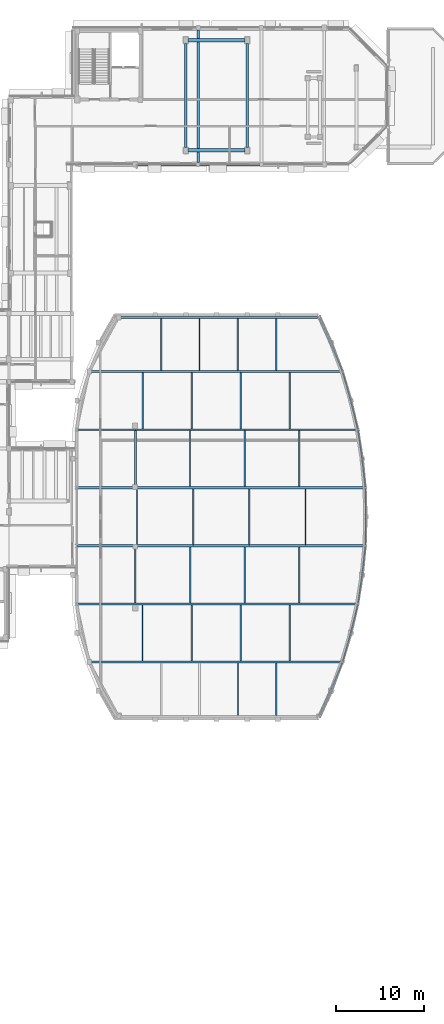
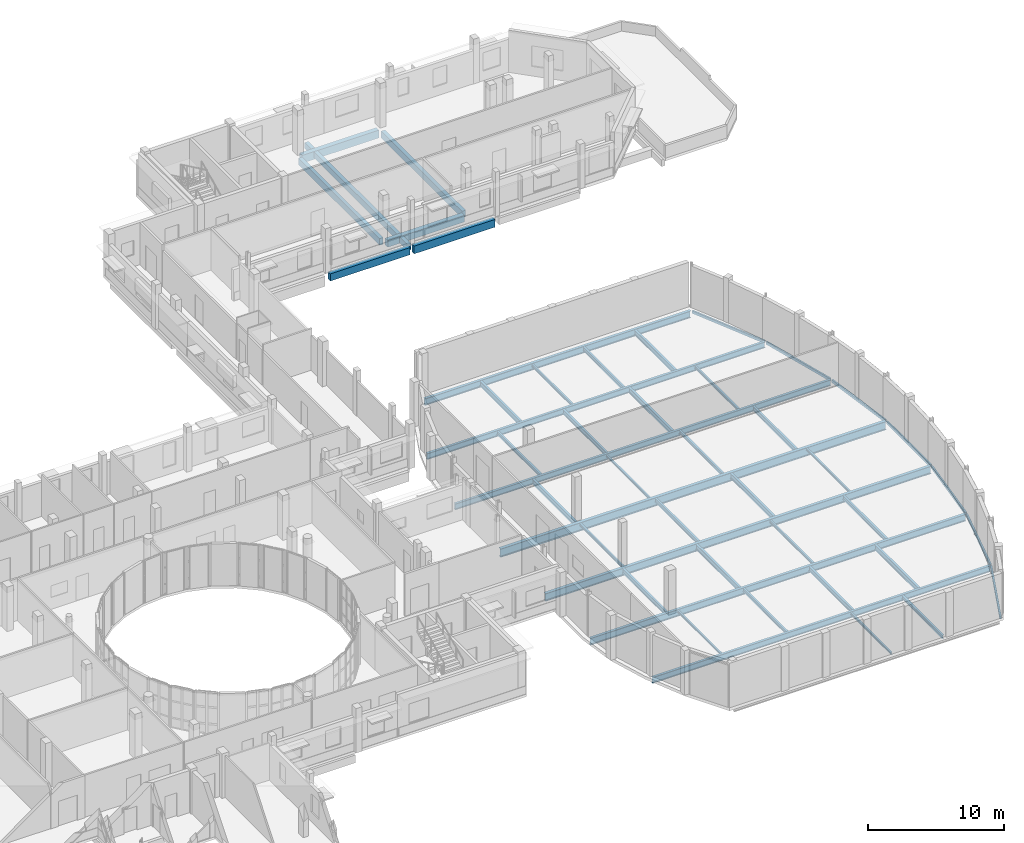
# One storey, part 50 of 105: 47 beams.
"""IFC4 building model written with IfcOpenShell, lengths in metres."""

from ifc_helpers import new_model, si_unit, direction, frame, origin, origin_2d, place, context, subcontext, project, spatial, rectangle, hollow_rectangle, i_section, extrude, material, material_profile, profile_set, type_object, element, save


model = new_model("IFC4")

# Units and contexts
model_context = context("Model", 3, precision=1e-05, world=origin(), true_north=direction((0.0, 1.0)))
body_context = subcontext(model_context, "Body", "Model", "MODEL_VIEW")
ifc_project = project(units=[si_unit("LENGTHUNIT", "METRE"), si_unit("AREAUNIT", "SQUARE_METRE"), si_unit("VOLUMEUNIT", "CUBIC_METRE"), si_unit("PLANEANGLEUNIT", "RADIAN"), si_unit("MASSUNIT", "GRAM", prefix="KILO")], contexts=[model_context])

# Site, building, storey
site_placement = place(None, origin())
site = spatial("IfcSite", under=ifc_project, at=site_placement, CompositionType="ELEMENT")
building_placement = place(site_placement, origin())
building = spatial("IfcBuilding", under=site, at=building_placement, Name="Kelanivale Promenade Academy", CompositionType="ELEMENT")
storey_placement = place(building_placement, frame((0.0, 0.0, 4.199951171875)))
storey = spatial("IfcBuildingStorey", under=building, at=storey_placement, Name="L01", CompositionType="ELEMENT", Elevation=4.199951171875)

# Beams
ifc_material_1 = material(Name="Concrete C35/45", Category="concrete")
ifc_material_profile_1 = material_profile(ifc_material_1, rectangle(XDim=0.39990234375, YDim=0.699951171875, at=origin_2d()), Name="RC-BM 400x700")
ifc_profile_set_1 = profile_set([ifc_material_profile_1], Name="Concrete C35/45")
beam_type_1 = type_object("IfcBeamType", Name="BM-02 RC-BM 400x700", PredefinedType="BEAM", material=ifc_profile_set_1)
beam_1_placement = place(storey_placement, frame((136.044921875, 110.60009765625, -0.6298828125), z_axis=(1.0, 0.0, 0.0), x_axis=(0.0, 1.0, 0.0)))
element("IfcBeam", 1, at=beam_1_placement, inside=storey, type_object=beam_type_1, Name="L01 girder BM-02", PredefinedType="BEAM", context=body_context, shape_type="SweptSolid", body=[
    extrude(rectangle(XDim=0.39990234375, YDim=0.699951171875, at=origin_2d()), origin(), (0.0, 0.0, 1.0), 6.510009765625),
])
ifc_material_profile_2 = material_profile(ifc_material_1, rectangle(XDim=0.35009765625, YDim=0.64990234375, at=origin_2d()), Name="RC-BM 350x650")
ifc_profile_set_2 = profile_set([ifc_material_profile_2], Name="Concrete C35/45")
beam_type_2 = type_object("IfcBeamType", Name="BM-10 RC-BM 350x650", PredefinedType="BEAM", material=ifc_profile_set_2)
beam_2_placement = place(storey_placement, frame((130.2451171875, 96.39990234375, -0.60498046875), z_axis=(1.0, 0.0, 0.0), x_axis=(0.0, 1.0, 0.0)))
element("IfcBeam", 2, at=beam_2_placement, inside=storey, type_object=beam_type_2, Name="L01 girder BM-10", PredefinedType="BEAM", context=body_context, shape_type="SweptSolid", body=[
    extrude(rectangle(XDim=0.35009765625, YDim=0.64990234375, at=origin_2d()), origin(), (0.0, 0.0, 1.0), 6.784912109375),
])
ifc_material_profile_3 = material_profile(ifc_material_1, rectangle(XDim=0.35009765625, YDim=0.699951171875, at=origin_2d()), Name="RC-BM 350x700")
ifc_profile_set_3 = profile_set([ifc_material_profile_3], Name="Concrete C35/45")
beam_type_3 = type_object("IfcBeamType", Name="BM-11 RC-BM 350x700", PredefinedType="BEAM", material=ifc_profile_set_3)
beam_3_placement = place(storey_placement, frame((137.3701171875, 96.39990234375, -0.6298828125), z_axis=(1.0, 0.0, 0.0), x_axis=(0.0, 1.0, 0.0)))
element("IfcBeam", 3, at=beam_3_placement, inside=storey, type_object=beam_type_3, Name="L01 girder BM-11", PredefinedType="BEAM", context=body_context, shape_type="SweptSolid", body=[
    extrude(rectangle(XDim=0.35009765625, YDim=0.699951171875, at=origin_2d()), origin(), (0.0, 0.0, 1.0), 6.85986328125),
])
ifc_material_profile_4 = material_profile(ifc_material_1, rectangle(XDim=0.39990234375, YDim=0.60009765625, at=origin_2d()), Name="RC-BM 400x600")
ifc_profile_set_4 = profile_set([ifc_material_profile_4], Name="Concrete C35/45")
beam_type_4 = type_object("IfcBeamType", Name="BM-12 RC-BM 400x600", PredefinedType="BEAM", material=ifc_profile_set_4)
beam_4_placement = place(storey_placement, frame((136.044921875, 98.0, -0.579833984375), z_axis=(1.0, 0.0, 0.0), x_axis=(0.0, 1.0, 0.0)))
element("IfcBeam", 4, at=beam_4_placement, inside=storey, type_object=beam_type_4, Name="L01 girder BM-12", PredefinedType="BEAM", context=body_context, shape_type="SweptSolid", body=[
    extrude(rectangle(XDim=0.39990234375, YDim=0.60009765625, at=origin_2d()), origin(), (0.0, 0.0, 1.0), 6.510009765625),
])
ifc_material_profile_5 = material_profile(ifc_material_1, rectangle(XDim=0.300048828125, YDim=0.60009765625, at=origin_2d()), Name="RC-BM 300x600")
ifc_profile_set_5 = profile_set([ifc_material_profile_5], Name="Concrete C35/45")
beam_type_5 = type_object("IfcBeamType", Name="JS-03 RC-BM 300x600", PredefinedType="JOIST", material=ifc_profile_set_5)
beam_5_placement = place(storey_placement, frame((135.800048828125, 98.320068359375, -0.579833984375), z_axis=(0.0, 1.0, 0.0), x_axis=(-1.0, 0.0, 0.0)))
element("IfcBeam", 5, at=beam_5_placement, inside=storey, type_object=beam_type_5, Name="L01 beam JS-03", PredefinedType="JOIST", context=body_context, shape_type="SweptSolid", body=[
    extrude(rectangle(XDim=0.300048828125, YDim=0.60009765625, at=origin_2d()), origin(), (0.0, 0.0, 1.0), 11.909912109375),
])
ifc_material_profile_6 = material_profile(ifc_material_1, rectangle(XDim=0.320068359375, YDim=0.550048828125, at=origin_2d()), Name="RC-BM 320x550")
ifc_profile_set_6 = profile_set([ifc_material_profile_6], Name="Concrete C35/45")
beam_type_6 = type_object("IfcBeamType", Name="JS-04 RC-BM 320x550", PredefinedType="JOIST", material=ifc_profile_set_6)
beam_6_placement = place(storey_placement, frame((137.199951171875, 96.64501953125, -0.554931640625), z_axis=(0.0, 1.0, 0.0), x_axis=(-1.0, 0.0, 0.0)))
element("IfcBeam", 6, at=beam_6_placement, inside=storey, type_object=beam_type_6, Name="L01 beam JS-04", PredefinedType="JOIST", context=body_context, shape_type="SweptSolid", body=[
    extrude(rectangle(XDim=0.320068359375, YDim=0.550048828125, at=origin_2d()), origin(), (0.0, 0.0, 1.0), 15.10986328125),
])
ifc_material_profile_7 = material_profile(ifc_material_1, rectangle(XDim=0.320068359375, YDim=0.60009765625, at=origin_2d()), Name="RC-BM 320x600")
ifc_profile_set_7 = profile_set([ifc_material_profile_7], Name="Concrete C35/45")
beam_type_7 = type_object("IfcBeamType", Name="JS-05 RC-BM 320x600", PredefinedType="JOIST", material=ifc_profile_set_7)
beam_7_placement = place(storey_placement, frame((142.800048828125, 98.320068359375, -0.579833984375), z_axis=(0.0, 1.0, 0.0), x_axis=(-1.0, 0.0, 0.0)))
element("IfcBeam", 7, at=beam_7_placement, inside=storey, type_object=beam_type_7, Name="L01 beam JS-05", PredefinedType="JOIST", context=body_context, shape_type="SweptSolid", body=[
    extrude(rectangle(XDim=0.320068359375, YDim=0.60009765625, at=origin_2d()), origin(), (0.0, 0.0, 1.0), 11.909912109375),
])
ifc_material_2 = material(Name="Steel S355", Category="steel")
ifc_material_profile_8 = material_profile(ifc_material_2, i_section(OverallWidth=0.13330078125, OverallDepth=0.203125, WebThickness=0.005615234375, FlangeThickness=0.0078125, FilletRadius=0.007568359375, at=origin_2d()), Name="UB 203x133x25")
ifc_profile_set_8 = profile_set([ifc_material_profile_8], Name="Steel S355")
beam_type_8 = type_object("IfcBeamType", Name="SB-01 UB 203x133x25", PredefinedType="JOIST", material=ifc_profile_set_8)
beam_8_placement = place(storey_placement, frame((141.73291015625, 33.550048828125, -0.366943359375), z_axis=(0.0, 1.0, 0.0), x_axis=(-1.0, 0.0, 0.0)))
element("IfcBeam", 8, at=beam_8_placement, inside=storey, type_object=beam_type_8, Name="L01 hall floor secondary joist SB-01", PredefinedType="JOIST", context=body_context, shape_type="SweptSolid", body=[
    extrude(i_section(OverallWidth=0.13330078125, OverallDepth=0.203125, WebThickness=0.005615234375, FlangeThickness=0.0078125, FilletRadius=0.007568359375, at=origin_2d()), origin(), (0.0, 0.0, 1.0), 5.97900390625),
])
beam_9_placement = place(storey_placement, frame((130.847900390625, 39.72900390625, -0.366943359375), z_axis=(0.0, 1.0, 0.0), x_axis=(-1.0, 0.0, 0.0)))
element("IfcBeam", 9, at=beam_9_placement, inside=storey, type_object=beam_type_8, Name="L01 hall floor secondary joist SB-01", PredefinedType="JOIST", context=body_context, shape_type="SweptSolid", body=[
    extrude(i_section(OverallWidth=0.13330078125, OverallDepth=0.203125, WebThickness=0.005615234375, FlangeThickness=0.0078125, FilletRadius=0.007568359375, at=origin_2d()), origin(), (0.0, 0.0, 1.0), 6.4189453125),
])
beam_10_placement = place(storey_placement, frame((149.43505859375, 53.008056640625, -0.366943359375), z_axis=(0.0, 1.0, 0.0), x_axis=(-1.0, 0.0, 0.0)))
element("IfcBeam", 10, at=beam_10_placement, inside=storey, type_object=beam_type_8, Name="L01 hall floor secondary joist SB-01", PredefinedType="JOIST", context=body_context, shape_type="SweptSolid", body=[
    extrude(i_section(OverallWidth=0.13330078125, OverallDepth=0.203125, WebThickness=0.005615234375, FlangeThickness=0.0078125, FilletRadius=0.007568359375, at=origin_2d()), origin(), (0.0, 0.0, 1.0), 6.3779296875),
])
beam_11_placement = place(storey_placement, frame((136.27587890625, 59.64208984375, -0.366943359375), z_axis=(0.0, 1.0, 0.0), x_axis=(-1.0, 0.0, 0.0)))
element("IfcBeam", 11, at=beam_11_placement, inside=storey, type_object=beam_type_8, Name="L01 hall floor secondary joist SB-01", PredefinedType="JOIST", context=body_context, shape_type="SweptSolid", body=[
    extrude(i_section(OverallWidth=0.13330078125, OverallDepth=0.203125, WebThickness=0.005615234375, FlangeThickness=0.0078125, FilletRadius=0.007568359375, at=origin_2d()), origin(), (0.0, 0.0, 1.0), 6.40087890625),
])
ifc_material_profile_9 = material_profile(ifc_material_2, i_section(OverallWidth=0.14599609375, OverallDepth=0.25146484375, WebThickness=0.006103515625, FlangeThickness=0.008544921875, FilletRadius=0.007568359375, at=origin_2d()), Name="UB 254x146x31")
ifc_profile_set_9 = profile_set([ifc_material_profile_9], Name="Steel S355")
beam_type_9 = type_object("IfcBeamType", Name="SB-02 UB 254x146x31", PredefinedType="JOIST", material=ifc_profile_set_9)
beam_12_placement = place(storey_placement, frame((142.514892578125, 46.365966796875, -0.390869140625), z_axis=(0.0, 1.0, 0.0), x_axis=(-1.0, 0.0, 0.0)))
element("IfcBeam", 12, at=beam_12_placement, inside=storey, type_object=beam_type_9, Name="L01 hall floor secondary joist SB-02", PredefinedType="JOIST", context=body_context, shape_type="SweptSolid", body=[
    extrude(i_section(OverallWidth=0.14599609375, OverallDepth=0.25146484375, WebThickness=0.006103515625, FlangeThickness=0.008544921875, FilletRadius=0.007568359375, at=origin_2d()), origin(), (0.0, 0.0, 1.0), 6.39794921875),
])
beam_13_placement = place(storey_placement, frame((130.208984375, 53.008056640625, -0.390869140625), z_axis=(0.0, 1.0, 0.0), x_axis=(-1.0, 0.0, 0.0)))
element("IfcBeam", 13, at=beam_13_placement, inside=storey, type_object=beam_type_9, Name="L01 hall floor secondary joist SB-02", PredefinedType="JOIST", context=body_context, shape_type="SweptSolid", body=[
    extrude(i_section(OverallWidth=0.14599609375, OverallDepth=0.25146484375, WebThickness=0.006103515625, FlangeThickness=0.008544921875, FilletRadius=0.007568359375, at=origin_2d()), origin(), (0.0, 0.0, 1.0), 6.3779296875),
])
beam_14_placement = place(storey_placement, frame((147.64111328125, 66.242919921875, -0.390869140625), z_axis=(0.0, 1.0, 0.0), x_axis=(-1.0, 0.0, 0.0)))
element("IfcBeam", 14, at=beam_14_placement, inside=storey, type_object=beam_type_9, Name="L01 hall floor secondary joist SB-02", PredefinedType="JOIST", context=body_context, shape_type="SweptSolid", body=[
    extrude(i_section(OverallWidth=0.14599609375, OverallDepth=0.25146484375, WebThickness=0.006103515625, FlangeThickness=0.008544921875, FilletRadius=0.007568359375, at=origin_2d()), origin(), (0.0, 0.0, 1.0), 6.427978515625),
])
beam_15_placement = place(storey_placement, frame((137.35498046875, 72.87109375, -0.390869140625), z_axis=(0.0, 1.0, 0.0), x_axis=(-1.0, 0.0, 0.0)))
element("IfcBeam", 15, at=beam_15_placement, inside=storey, type_object=beam_type_9, Name="L01 hall floor secondary joist SB-02", PredefinedType="JOIST", context=body_context, shape_type="SweptSolid", body=[
    extrude(i_section(OverallWidth=0.14599609375, OverallDepth=0.25146484375, WebThickness=0.006103515625, FlangeThickness=0.008544921875, FilletRadius=0.007568359375, at=origin_2d()), origin(), (0.0, 0.0, 1.0), 5.968994140625),
])
ifc_material_profile_10 = material_profile(ifc_material_2, i_section(OverallWidth=0.1650390625, OverallDepth=0.303466796875, WebThickness=0.006103515625, FlangeThickness=0.01025390625, FilletRadius=0.0087890625, at=origin_2d()), Name="UB 305x165x40")
ifc_profile_set_10 = profile_set([ifc_material_profile_10], Name="Steel S355")
beam_type_10 = type_object("IfcBeamType", Name="SB-03 UB 305x165x40", PredefinedType="BEAM", material=ifc_profile_set_10)
beam_16_placement = place(storey_placement, frame((146.110107421875, 33.550048828125, -0.4169921875), z_axis=(0.0, 1.0, 0.0), x_axis=(-1.0, 0.0, 0.0)))
element("IfcBeam", 16, at=beam_16_placement, inside=storey, type_object=beam_type_10, Name="L01 hall floor secondary joist SB-03", PredefinedType="BEAM", context=body_context, shape_type="SweptSolid", body=[
    extrude(i_section(OverallWidth=0.1650390625, OverallDepth=0.303466796875, WebThickness=0.006103515625, FlangeThickness=0.01025390625, FilletRadius=0.0087890625, at=origin_2d()), origin(), (0.0, 0.0, 1.0), 5.97900390625),
])
beam_17_placement = place(storey_placement, frame((136.446044921875, 39.72900390625, -0.4169921875), z_axis=(0.0, 1.0, 0.0), x_axis=(-1.0, 0.0, 0.0)))
element("IfcBeam", 17, at=beam_17_placement, inside=storey, type_object=beam_type_10, Name="L01 hall floor secondary joist SB-03", PredefinedType="BEAM", context=body_context, shape_type="SweptSolid", body=[
    extrude(i_section(OverallWidth=0.1650390625, OverallDepth=0.303466796875, WebThickness=0.006103515625, FlangeThickness=0.01025390625, FilletRadius=0.0087890625, at=origin_2d()), origin(), (0.0, 0.0, 1.0), 6.4189453125),
])
beam_18_placement = place(storey_placement, frame((142.514892578125, 59.64208984375, -0.4169921875), z_axis=(0.0, 1.0, 0.0), x_axis=(-1.0, 0.0, 0.0)))
element("IfcBeam", 18, at=beam_18_placement, inside=storey, type_object=beam_type_10, Name="L01 hall floor secondary joist SB-03", PredefinedType="BEAM", context=body_context, shape_type="SweptSolid", body=[
    extrude(i_section(OverallWidth=0.1650390625, OverallDepth=0.303466796875, WebThickness=0.006103515625, FlangeThickness=0.01025390625, FilletRadius=0.0087890625, at=origin_2d()), origin(), (0.0, 0.0, 1.0), 6.40087890625),
])
beam_19_placement = place(storey_placement, frame((130.847900390625, 66.242919921875, -0.4169921875), z_axis=(0.0, 1.0, 0.0), x_axis=(-1.0, 0.0, 0.0)))
element("IfcBeam", 19, at=beam_19_placement, inside=storey, type_object=beam_type_10, Name="L01 hall floor secondary joist SB-03", PredefinedType="BEAM", context=body_context, shape_type="SweptSolid", body=[
    extrude(i_section(OverallWidth=0.1650390625, OverallDepth=0.303466796875, WebThickness=0.006103515625, FlangeThickness=0.01025390625, FilletRadius=0.0087890625, at=origin_2d()), origin(), (0.0, 0.0, 1.0), 6.427978515625),
])
ifc_material_profile_11 = material_profile(ifc_material_2, i_section(OverallWidth=0.17138671875, OverallDepth=0.35498046875, WebThickness=0.00732421875, FlangeThickness=0.011474609375, FilletRadius=0.01025390625, at=origin_2d()), Name="UB 356x171x51")
ifc_profile_set_11 = profile_set([ifc_material_profile_11], Name="Steel S355")
beam_type_11 = type_object("IfcBeamType", Name="SB-04 UB 356x171x51", PredefinedType="BEAM", material=ifc_profile_set_11)
beam_20_placement = place(storey_placement, frame((148.7529296875, 46.365966796875, -0.44189453125), z_axis=(0.0, 1.0, 0.0), x_axis=(-1.0, 0.0, 0.0)))
element("IfcBeam", 20, at=beam_20_placement, inside=storey, type_object=beam_type_11, Name="L01 hall floor secondary joist SB-04", PredefinedType="BEAM", context=body_context, shape_type="SweptSolid", body=[
    extrude(i_section(OverallWidth=0.17138671875, OverallDepth=0.35498046875, WebThickness=0.00732421875, FlangeThickness=0.011474609375, FilletRadius=0.01025390625, at=origin_2d()), origin(), (0.0, 0.0, 1.0), 6.39794921875),
])
beam_21_placement = place(storey_placement, frame((136.617919921875, 53.008056640625, -0.44189453125), z_axis=(0.0, 1.0, 0.0), x_axis=(-1.0, 0.0, 0.0)))
element("IfcBeam", 21, at=beam_21_placement, inside=storey, type_object=beam_type_11, Name="L01 hall floor secondary joist SB-04", PredefinedType="BEAM", context=body_context, shape_type="SweptSolid", body=[
    extrude(i_section(OverallWidth=0.17138671875, OverallDepth=0.35498046875, WebThickness=0.00732421875, FlangeThickness=0.011474609375, FilletRadius=0.01025390625, at=origin_2d()), origin(), (0.0, 0.0, 1.0), 6.3779296875),
])
beam_22_placement = place(storey_placement, frame((141.73291015625, 72.87109375, -0.44189453125), z_axis=(0.0, 1.0, 0.0), x_axis=(-1.0, 0.0, 0.0)))
element("IfcBeam", 22, at=beam_22_placement, inside=storey, type_object=beam_type_11, Name="L01 hall floor secondary joist SB-04", PredefinedType="BEAM", context=body_context, shape_type="SweptSolid", body=[
    extrude(i_section(OverallWidth=0.17138671875, OverallDepth=0.35498046875, WebThickness=0.00732421875, FlangeThickness=0.011474609375, FilletRadius=0.01025390625, at=origin_2d()), origin(), (0.0, 0.0, 1.0), 5.968994140625),
])
ifc_material_profile_12 = material_profile(ifc_material_2, i_section(OverallWidth=0.177978515625, OverallDepth=0.406494140625, WebThickness=0.0078125, FlangeThickness=0.0126953125, FilletRadius=0.01025390625, at=origin_2d()), Name="UB 406x178x60")
ifc_profile_set_12 = profile_set([ifc_material_profile_12], Name="Steel S355")
beam_type_12 = type_object("IfcBeamType", Name="SB-05 UB 406x178x60", PredefinedType="BEAM", material=ifc_profile_set_12)
beam_23_placement = place(storey_placement, frame((142.04296875, 39.72900390625, -0.468017578125), z_axis=(0.0, 1.0, 0.0), x_axis=(-1.0, 0.0, 0.0)))
element("IfcBeam", 23, at=beam_23_placement, inside=storey, type_object=beam_type_12, Name="L01 hall floor secondary joist SB-05", PredefinedType="BEAM", context=body_context, shape_type="SweptSolid", body=[
    extrude(i_section(OverallWidth=0.177978515625, OverallDepth=0.406494140625, WebThickness=0.0078125, FlangeThickness=0.0126953125, FilletRadius=0.01025390625, at=origin_2d()), origin(), (0.0, 0.0, 1.0), 6.4189453125),
])
beam_24_placement = place(storey_placement, frame((130.0380859375, 46.365966796875, -0.468017578125), z_axis=(0.0, 1.0, 0.0), x_axis=(-1.0, 0.0, 0.0)))
element("IfcBeam", 24, at=beam_24_placement, inside=storey, type_object=beam_type_12, Name="L01 hall floor secondary joist SB-05", PredefinedType="BEAM", context=body_context, shape_type="SweptSolid", body=[
    extrude(i_section(OverallWidth=0.177978515625, OverallDepth=0.406494140625, WebThickness=0.0078125, FlangeThickness=0.0126953125, FilletRadius=0.01025390625, at=origin_2d()), origin(), (0.0, 0.0, 1.0), 6.39794921875),
])
beam_25_placement = place(storey_placement, frame((148.7529296875, 59.64208984375, -0.468017578125), z_axis=(0.0, 1.0, 0.0), x_axis=(-1.0, 0.0, 0.0)))
element("IfcBeam", 25, at=beam_25_placement, inside=storey, type_object=beam_type_12, Name="L01 hall floor secondary joist SB-05", PredefinedType="BEAM", context=body_context, shape_type="SweptSolid", body=[
    extrude(i_section(OverallWidth=0.177978515625, OverallDepth=0.406494140625, WebThickness=0.0078125, FlangeThickness=0.0126953125, FilletRadius=0.01025390625, at=origin_2d()), origin(), (0.0, 0.0, 1.0), 6.40087890625),
])
beam_26_placement = place(storey_placement, frame((136.446044921875, 66.242919921875, -0.468017578125), z_axis=(0.0, 1.0, 0.0), x_axis=(-1.0, 0.0, 0.0)))
element("IfcBeam", 26, at=beam_26_placement, inside=storey, type_object=beam_type_12, Name="L01 hall floor secondary joist SB-05", PredefinedType="BEAM", context=body_context, shape_type="SweptSolid", body=[
    extrude(i_section(OverallWidth=0.177978515625, OverallDepth=0.406494140625, WebThickness=0.0078125, FlangeThickness=0.0126953125, FilletRadius=0.01025390625, at=origin_2d()), origin(), (0.0, 0.0, 1.0), 6.427978515625),
])
ifc_material_profile_13 = material_profile(ifc_material_2, i_section(OverallWidth=0.18994140625, OverallDepth=0.453369140625, WebThickness=0.008544921875, FlangeThickness=0.0126953125, FilletRadius=0.01025390625, at=origin_2d()), Name="UB 457x191x67")
ifc_profile_set_13 = profile_set([ifc_material_profile_13], Name="Steel S355")
beam_type_13 = type_object("IfcBeamType", Name="SB-06 UB 457x191x67", PredefinedType="BEAM", material=ifc_profile_set_13)
beam_27_placement = place(storey_placement, frame((143.02587890625, 53.008056640625, -0.491943359375), z_axis=(0.0, 1.0, 0.0), x_axis=(-1.0, 0.0, 0.0)))
element("IfcBeam", 27, at=beam_27_placement, inside=storey, type_object=beam_type_13, Name="L01 hall floor secondary joist SB-06", PredefinedType="BEAM", context=body_context, shape_type="SweptSolid", body=[
    extrude(i_section(OverallWidth=0.18994140625, OverallDepth=0.453369140625, WebThickness=0.008544921875, FlangeThickness=0.0126953125, FilletRadius=0.01025390625, at=origin_2d()), origin(), (0.0, 0.0, 1.0), 6.3779296875),
])
beam_28_placement = place(storey_placement, frame((130.0380859375, 59.64208984375, -0.491943359375), z_axis=(0.0, 1.0, 0.0), x_axis=(-1.0, 0.0, 0.0)))
element("IfcBeam", 28, at=beam_28_placement, inside=storey, type_object=beam_type_13, Name="L01 hall floor secondary joist SB-06", PredefinedType="BEAM", context=body_context, shape_type="SweptSolid", body=[
    extrude(i_section(OverallWidth=0.18994140625, OverallDepth=0.453369140625, WebThickness=0.008544921875, FlangeThickness=0.0126953125, FilletRadius=0.01025390625, at=origin_2d()), origin(), (0.0, 0.0, 1.0), 6.40087890625),
])
beam_29_placement = place(storey_placement, frame((146.110107421875, 72.87109375, -0.491943359375), z_axis=(0.0, 1.0, 0.0), x_axis=(-1.0, 0.0, 0.0)))
element("IfcBeam", 29, at=beam_29_placement, inside=storey, type_object=beam_type_13, Name="L01 hall floor secondary joist SB-06", PredefinedType="BEAM", context=body_context, shape_type="SweptSolid", body=[
    extrude(i_section(OverallWidth=0.18994140625, OverallDepth=0.453369140625, WebThickness=0.008544921875, FlangeThickness=0.0126953125, FilletRadius=0.01025390625, at=origin_2d()), origin(), (0.0, 0.0, 1.0), 5.968994140625),
])
ifc_material_profile_14 = material_profile(ifc_material_2, i_section(OverallWidth=0.19140625, OverallDepth=0.4599609375, WebThickness=0.010009765625, FlangeThickness=0.01611328125, FilletRadius=0.01025390625, at=origin_2d()), Name="UB 457x191x82")
ifc_profile_set_14 = profile_set([ifc_material_profile_14], Name="Steel S355")
beam_type_14 = type_object("IfcBeamType", Name="SB-07 UB 457x191x82", PredefinedType="BEAM", material=ifc_profile_set_14)
beam_30_placement = place(storey_placement, frame((147.64111328125, 39.72900390625, -0.494873046875), z_axis=(0.0, 1.0, 0.0), x_axis=(-1.0, 0.0, 0.0)))
element("IfcBeam", 30, at=beam_30_placement, inside=storey, type_object=beam_type_14, Name="L01 hall floor secondary joist SB-07", PredefinedType="BEAM", context=body_context, shape_type="SweptSolid", body=[
    extrude(i_section(OverallWidth=0.19140625, OverallDepth=0.4599609375, WebThickness=0.010009765625, FlangeThickness=0.01611328125, FilletRadius=0.01025390625, at=origin_2d()), origin(), (0.0, 0.0, 1.0), 6.4189453125),
])
beam_31_placement = place(storey_placement, frame((136.27587890625, 46.365966796875, -0.494873046875), z_axis=(0.0, 1.0, 0.0), x_axis=(-1.0, 0.0, 0.0)))
element("IfcBeam", 31, at=beam_31_placement, inside=storey, type_object=beam_type_14, Name="L01 hall floor secondary joist SB-07", PredefinedType="BEAM", context=body_context, shape_type="SweptSolid", body=[
    extrude(i_section(OverallWidth=0.19140625, OverallDepth=0.4599609375, WebThickness=0.010009765625, FlangeThickness=0.01611328125, FilletRadius=0.01025390625, at=origin_2d()), origin(), (0.0, 0.0, 1.0), 6.39794921875),
])
beam_32_placement = place(storey_placement, frame((142.04296875, 66.242919921875, -0.494873046875), z_axis=(0.0, 1.0, 0.0), x_axis=(-1.0, 0.0, 0.0)))
element("IfcBeam", 32, at=beam_32_placement, inside=storey, type_object=beam_type_14, Name="L01 hall floor secondary joist SB-07", PredefinedType="BEAM", context=body_context, shape_type="SweptSolid", body=[
    extrude(i_section(OverallWidth=0.19140625, OverallDepth=0.4599609375, WebThickness=0.010009765625, FlangeThickness=0.01611328125, FilletRadius=0.01025390625, at=origin_2d()), origin(), (0.0, 0.0, 1.0), 6.427978515625),
])
beam_33_placement = place(storey_placement, frame((132.97802734375, 72.87109375, -0.494873046875), z_axis=(0.0, 1.0, 0.0), x_axis=(-1.0, 0.0, 0.0)))
element("IfcBeam", 33, at=beam_33_placement, inside=storey, type_object=beam_type_14, Name="L01 hall floor secondary joist SB-07", PredefinedType="BEAM", context=body_context, shape_type="SweptSolid", body=[
    extrude(i_section(OverallWidth=0.19140625, OverallDepth=0.4599609375, WebThickness=0.010009765625, FlangeThickness=0.01611328125, FilletRadius=0.01025390625, at=origin_2d()), origin(), (0.0, 0.0, 1.0), 5.968994140625),
])
ifc_material_profile_15 = material_profile(ifc_material_2, i_section(OverallWidth=0.209228515625, OverallDepth=0.533203125, WebThickness=0.010009765625, FlangeThickness=0.015625, FilletRadius=0.0126953125, at=origin_2d()), Name="UB 533x210x92")
ifc_profile_set_15 = profile_set([ifc_material_profile_15], Name="Steel S355")
beam_type_15 = type_object("IfcBeamType", Name="SB-08 UB 533x210x92", PredefinedType="BEAM", material=ifc_profile_set_15)
beam_34_placement = place(storey_placement, frame((123.449951171875, 66.14306640625, -0.531982421875), z_axis=(1.0, 0.0, 0.0), x_axis=(0.0, 1.0, 0.0)))
element("IfcBeam", 34, at=beam_34_placement, inside=storey, type_object=beam_type_15, Name="L01 hall floor steel girder SB-08", PredefinedType="BEAM", context=body_context, shape_type="SweptSolid", body=[
    extrude(i_section(OverallWidth=0.209228515625, OverallDepth=0.533203125, WebThickness=0.010009765625, FlangeThickness=0.015625, FilletRadius=0.0126953125, at=origin_2d()), origin(), (0.0, 0.0, 1.0), 31.89111328125),
])
ifc_material_profile_16 = material_profile(ifc_material_2, i_section(OverallWidth=0.210693359375, OverallDepth=0.53955078125, WebThickness=0.01171875, FlangeThickness=0.018798828125, FilletRadius=0.0126953125, at=origin_2d()), Name="UB 533x210x109")
ifc_profile_set_16 = profile_set([ifc_material_profile_16], Name="Steel S355")
beam_type_16 = type_object("IfcBeamType", Name="SB-09 UB 533x210x109", PredefinedType="BEAM", material=ifc_profile_set_16)
for number, where, z_axis, x_axis, name in (
    (35, (124.89990234375, 39.62890625, -0.534912109375), (1.0, 0.0, 0.0), (0.0, 1.0, 0.0), "L01 hall floor steel girder SB-09"),
    (36, (124.89990234375, 72.77099609375, -0.534912109375), (1.0, 0.0, 0.0), (0.0, 1.0, 0.0), "L01 hall floor steel girder SB-09"),
):
    element("IfcBeam", number, at=place(storey_placement, frame(where, z_axis=z_axis, x_axis=x_axis)), inside=storey, type_object=beam_type_16, Name=name, PredefinedType="BEAM", context=body_context, shape_type="SweptSolid", body=[
        extrude(i_section(OverallWidth=0.210693359375, OverallDepth=0.53955078125, WebThickness=0.01171875, FlangeThickness=0.018798828125, FilletRadius=0.0126953125, at=origin_2d()), origin(), (0.0, 0.0, 1.0), 28.689208984375),
    ])
ifc_material_profile_17 = material_profile(ifc_material_2, i_section(OverallWidth=0.22900390625, OverallDepth=0.6123046875, WebThickness=0.011962890625, FlangeThickness=0.01953125, FilletRadius=0.0126953125, at=origin_2d()), Name="UB 610x229x125")
ifc_profile_set_17 = profile_set([ifc_material_profile_17], Name="Steel S355")
beam_type_17 = type_object("IfcBeamType", Name="SB-10 UB 610x229x125", PredefinedType="BEAM", material=ifc_profile_set_17)
beam_35_placement = place(storey_placement, frame((123.449951171875, 46.257080078125, -0.571044921875), z_axis=(1.0, 0.0, 0.0), x_axis=(0.0, 1.0, 0.0)))
element("IfcBeam", 37, at=beam_35_placement, inside=storey, type_object=beam_type_17, Name="L01 hall floor steel girder SB-10", PredefinedType="BEAM", context=body_context, shape_type="SweptSolid", body=[
    extrude(i_section(OverallWidth=0.22900390625, OverallDepth=0.6123046875, WebThickness=0.011962890625, FlangeThickness=0.01953125, FilletRadius=0.0126953125, at=origin_2d()), origin(), (0.0, 0.0, 1.0), 31.89111328125),
])
beam_36_placement = place(storey_placement, frame((128.25, 78.949951171875, -0.571044921875), z_axis=(1.0, 0.0, 0.0), x_axis=(0.0, 1.0, 0.0)))
element("IfcBeam", 38, at=beam_36_placement, inside=storey, type_object=beam_type_17, Name="L01 hall floor steel girder SB-10", PredefinedType="BEAM", context=body_context, shape_type="SweptSolid", body=[
    extrude(i_section(OverallWidth=0.22900390625, OverallDepth=0.6123046875, WebThickness=0.011962890625, FlangeThickness=0.01953125, FilletRadius=0.0126953125, at=origin_2d()), origin(), (0.0, 0.0, 1.0), 22.587890625),
])
ifc_material_profile_18 = material_profile(ifc_material_2, i_section(OverallWidth=0.253662109375, OverallDepth=0.68359375, WebThickness=0.012451171875, FlangeThickness=0.01904296875, FilletRadius=0.01513671875, at=origin_2d()), Name="UB 686x254x140")
ifc_profile_set_18 = profile_set([ifc_material_profile_18], Name="Steel S355")
beam_type_18 = type_object("IfcBeamType", Name="SB-11 UB 686x254x140", PredefinedType="BEAM", material=ifc_profile_set_18)
beam_37_placement = place(storey_placement, frame((123.449951171875, 52.885986328125, -0.60693359375), z_axis=(1.0, 0.0, 0.0), x_axis=(0.0, 1.0, 0.0)))
element("IfcBeam", 39, at=beam_37_placement, inside=storey, type_object=beam_type_18, Name="L01 hall floor steel girder SB-11", PredefinedType="BEAM", context=body_context, shape_type="SweptSolid", body=[
    extrude(i_section(OverallWidth=0.253662109375, OverallDepth=0.68359375, WebThickness=0.012451171875, FlangeThickness=0.01904296875, FilletRadius=0.01513671875, at=origin_2d()), origin(), (0.0, 0.0, 1.0), 32.744140625),
])
ifc_material_profile_19 = material_profile(ifc_material_2, i_section(OverallWidth=0.2666015625, OverallDepth=0.76220703125, WebThickness=0.014404296875, FlangeThickness=0.021484375, FilletRadius=0.0166015625, at=origin_2d()), Name="UB 762x267x173")
ifc_profile_set_19 = profile_set([ifc_material_profile_19], Name="Steel S355")
beam_type_19 = type_object("IfcBeamType", Name="SB-12 UB 762x267x173", PredefinedType="BEAM", material=ifc_profile_set_19)
beam_38_placement = place(storey_placement, frame((123.449951171875, 59.513916015625, -0.64599609375), z_axis=(1.0, 0.0, 0.0), x_axis=(0.0, 1.0, 0.0)))
element("IfcBeam", 40, at=beam_38_placement, inside=storey, type_object=beam_type_19, Name="L01 hall floor steel girder SB-12", PredefinedType="BEAM", context=body_context, shape_type="SweptSolid", body=[
    extrude(i_section(OverallWidth=0.2666015625, OverallDepth=0.76220703125, WebThickness=0.014404296875, FlangeThickness=0.021484375, FilletRadius=0.0166015625, at=origin_2d()), origin(), (0.0, 0.0, 1.0), 32.744140625),
])
ifc_material_profile_20 = material_profile(ifc_material_2, hollow_rectangle(XDim=0.14990234375, YDim=0.25, WallThickness=0.010009765625, InnerFilletRadius=0.010009765625, OuterFilletRadius=0.02001953125, at=origin_2d()), Name="RHS 250x150x10.0")
ifc_profile_set_20 = profile_set([ifc_material_profile_20], Name="Steel S355")
beam_type_20 = type_object("IfcBeamType", Name="SB-13 RHS 250x150x10.0", PredefinedType="SPANDREL", material=ifc_profile_set_20)
beam_39_placement = place(storey_placement, frame((150.97900390625, 33.541015625, -0.389892578125), z_axis=(0.406593934051, 0.913608982439, 0.0), x_axis=(-0.913608982439, 0.406593934051, 0.0)))
element("IfcBeam", 41, at=beam_39_placement, inside=storey, type_object=beam_type_20, Name="Assembly Hall Arc Pavilion curved ring beam SB-13", PredefinedType="SPANDREL", context=body_context, shape_type="SweptSolid", body=[
    extrude(hollow_rectangle(XDim=0.14990234375, YDim=0.25, WallThickness=0.010009765625, InnerFilletRadius=0.010009765625, OuterFilletRadius=0.02001953125, at=origin_2d()), origin(), (0.0, 0.0, 1.0), 6.564208984375),
])
beam_40_placement = place(storey_placement, frame((153.715087890625, 39.72607421875, -0.389892578125), z_axis=(0.255453887547, 0.966821240632, 0.0), x_axis=(-0.966821240632, 0.255453887547, 0.0)))
element("IfcBeam", 42, at=beam_40_placement, inside=storey, type_object=beam_type_20, Name="Assembly Hall Arc Pavilion curved ring beam SB-13", PredefinedType="SPANDREL", context=body_context, shape_type="SweptSolid", body=[
    extrude(hollow_rectangle(XDim=0.14990234375, YDim=0.25, WallThickness=0.010009765625, InnerFilletRadius=0.010009765625, OuterFilletRadius=0.02001953125, at=origin_2d()), origin(), (0.0, 0.0, 1.0), 6.654541015625),
])
beam_41_placement = place(storey_placement, frame((155.4541015625, 46.35595703125, -0.389892578125), z_axis=(0.12752809224, 0.991834958897, 0.0), x_axis=(-0.991834958897, 0.12752809224, 0.0)))
element("IfcBeam", 43, at=beam_41_placement, inside=storey, type_object=beam_type_20, Name="Assembly Hall Arc Pavilion curved ring beam SB-13", PredefinedType="SPANDREL", context=body_context, shape_type="SweptSolid", body=[
    extrude(hollow_rectangle(XDim=0.14990234375, YDim=0.25, WallThickness=0.010009765625, InnerFilletRadius=0.010009765625, OuterFilletRadius=0.02001953125, at=origin_2d()), origin(), (0.0, 0.0, 1.0), 6.484130859375),
])
beam_42_placement = place(storey_placement, frame((156.2939453125, 52.986083984375, -0.389892578125), z_axis=(0.0, 1.0, 0.0), x_axis=(-1.0, 0.0, 0.0)))
element("IfcBeam", 44, at=beam_42_placement, inside=storey, type_object=beam_type_20, Name="Assembly Hall Arc Pavilion curved ring beam SB-13", PredefinedType="SPANDREL", context=body_context, shape_type="SweptSolid", body=[
    extrude(hollow_rectangle(XDim=0.14990234375, YDim=0.25, WallThickness=0.010009765625, InnerFilletRadius=0.010009765625, OuterFilletRadius=0.02001953125, at=origin_2d()), origin(), (0.0, 0.0, 1.0), 6.427978515625),
])
beam_43_placement = place(storey_placement, frame((156.281005859375, 59.613037109375, -0.389892578125), z_axis=(-0.127532854927, 0.991834346509, 0.0), x_axis=(-0.991834346509, -0.127532854927, 0.0)))
element("IfcBeam", 45, at=beam_43_placement, inside=storey, type_object=beam_type_20, Name="Assembly Hall Arc Pavilion curved ring beam SB-13", PredefinedType="SPANDREL", context=body_context, shape_type="SweptSolid", body=[
    extrude(hollow_rectangle(XDim=0.14990234375, YDim=0.25, WallThickness=0.010009765625, InnerFilletRadius=0.010009765625, OuterFilletRadius=0.02001953125, at=origin_2d()), origin(), (0.0, 0.0, 1.0), 6.48388671875),
])
beam_44_placement = place(storey_placement, frame((155.4150390625, 66.239990234375, -0.389892578125), z_axis=(-0.255444826884, 0.966823634598, 0.0), x_axis=(-0.966823634598, -0.255444826884, 0.0)))
element("IfcBeam", 46, at=beam_44_placement, inside=storey, type_object=beam_type_20, Name="Assembly Hall Arc Pavilion curved ring beam SB-13", PredefinedType="SPANDREL", context=body_context, shape_type="SweptSolid", body=[
    extrude(hollow_rectangle(XDim=0.14990234375, YDim=0.25, WallThickness=0.010009765625, InnerFilletRadius=0.010009765625, OuterFilletRadius=0.02001953125, at=origin_2d()), origin(), (0.0, 0.0, 1.0), 6.65478515625),
])
beam_45_placement = place(storey_placement, frame((153.64794921875, 72.862060546875, -0.389892578125), z_axis=(-0.40660775048, 0.913602833429, 0.0), x_axis=(-0.913602833429, -0.40660775048, 0.0)))
element("IfcBeam", 47, at=beam_45_placement, inside=storey, type_object=beam_type_20, Name="Assembly Hall Arc Pavilion curved ring beam SB-13", PredefinedType="SPANDREL", context=body_context, shape_type="SweptSolid", body=[
    extrude(hollow_rectangle(XDim=0.14990234375, YDim=0.25, WallThickness=0.010009765625, InnerFilletRadius=0.010009765625, OuterFilletRadius=0.02001953125, at=origin_2d()), origin(), (0.0, 0.0, 1.0), 6.56396484375),
])

save(model, "model.ifc")
